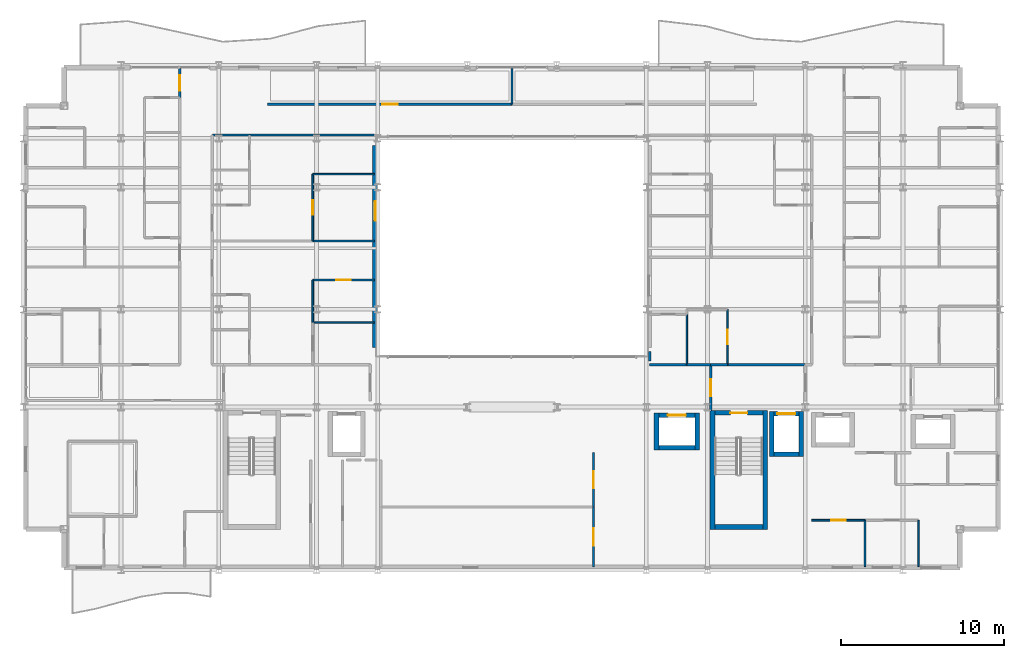
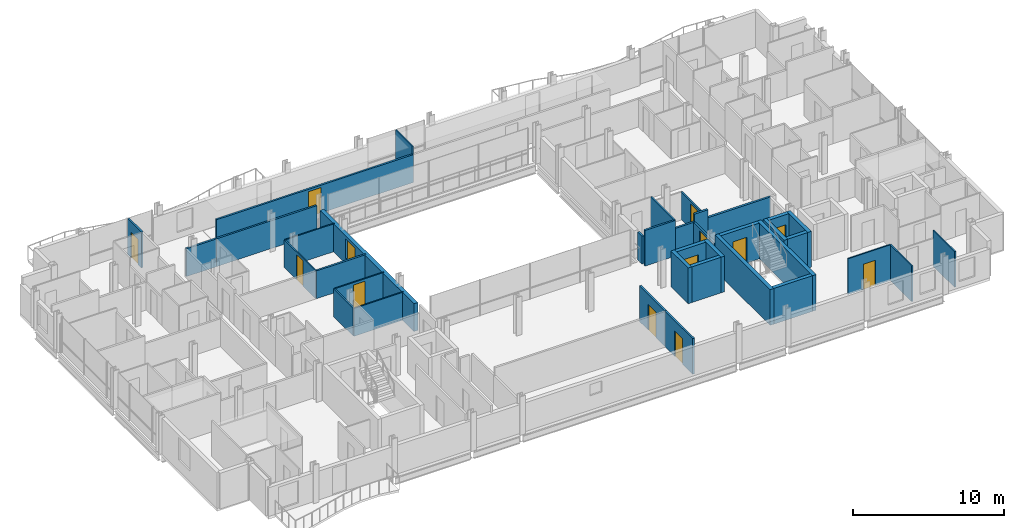
# One storey, part 34 of 41: 37 walls, 12 doors, 1 window, 13 openings.
"""IFC4 building model written with IfcOpenShell, lengths in metres."""

import ifcopenshell
import ifcopenshell.guid

model = None  # the IFC model being written
_history = None  # IfcOwnerHistory: only IFC2X3 demands one
_inside = {}  # id of a spatial element -> (the spatial element, [elements in it])
_under = {}  # id of a project, library or spatial element -> (it, [spatial elements below it])
_declared = {}  # id of a project -> (the project, [libraries it declares])
_typed = {}  # id of a type object -> (the type object, [elements of that type])
_made_of = {}  # id of a material, layer set ... -> (it, [elements and type objects made of it])


def new_model(schema):
    """Start an empty IFC model of exactly this schema.

    Asked for "IFC4X3", IfcOpenShell would pick the latest addendum, in which some entities
    have other attributes; the version numbers below select the first issue.
    IFC2X3 requires an IfcOwnerHistory on every rooted entity: one is made here for all.
    """
    global model, _history
    if schema == "IFC4X3":
        model = ifcopenshell.file(schema_version=(4, 3, 0, 0))
    else:
        model = ifcopenshell.file(schema=schema)
    _inside.clear()
    _under.clear()
    _declared.clear()
    _typed.clear()
    _made_of.clear()
    _history = None
    if model.schema == "IFC2X3":
        org = make("IfcOrganization", Name="unknown")
        user = make(
            "IfcPersonAndOrganization",
            ThePerson=make("IfcPerson", FamilyName="unknown"),
            TheOrganization=org,
        )
        app = make(
            "IfcApplication",
            ApplicationDeveloper=org,
            Version="unknown",
            ApplicationFullName="unknown",
            ApplicationIdentifier="unknown",
        )
        _history = make(
            "IfcOwnerHistory",
            OwningUser=user,
            OwningApplication=app,
            ChangeAction="ADDED",
            CreationDate=0,
        )
    return model


def make(cls, **values):
    """One entity of the class cls with the attributes given. An attribute that is None is left unset."""
    return model.create_entity(
        cls, **{name: value for name, value in values.items() if value is not None}
    )


def rooted(cls, **values):
    """An entity with a GlobalId (a new one), such as an element, a storey or a relation."""
    return make(cls, GlobalId=ifcopenshell.guid.new(), OwnerHistory=_history, **values)


def si_unit(unit_type, name, prefix=None):
    """IfcSIUnit, for example si_unit("LENGTHUNIT", "METRE", prefix="MILLI")."""
    return make("IfcSIUnit", UnitType=unit_type, Prefix=prefix, Name=name)


def assignment(units):
    """IfcUnitAssignment: the units of a project."""
    return None if units is None else make("IfcUnitAssignment", Units=units)


def point(xyz):
    """IfcCartesianPoint."""
    return None if xyz is None else make("IfcCartesianPoint", Coordinates=xyz)


def direction(xyz):
    """IfcDirection."""
    return None if xyz is None else make("IfcDirection", DirectionRatios=xyz)


def frame(location, z_axis=None, x_axis=None):
    """IfcAxis2Placement3D, a coordinate frame: its origin and axes. An axis left out is left unset."""
    return make(
        "IfcAxis2Placement3D",
        Location=point(location),
        Axis=direction(z_axis),
        RefDirection=direction(x_axis),
    )


def frame_2d(location, x_axis=None):
    """IfcAxis2Placement2D, a coordinate frame in the plane: its origin and x axis."""
    return make(
        "IfcAxis2Placement2D", Location=point(location), RefDirection=direction(x_axis)
    )


def origin():
    """The frame at (0, 0, 0) with its axes left unset."""
    return frame((0.0, 0.0, 0.0))


def place(relative_to, where):
    """IfcLocalPlacement: puts the frame where relative to a parent placement (None: the world)."""
    return make(
        "IfcLocalPlacement", PlacementRelTo=relative_to, RelativePlacement=where
    )


def context(
    kind, dimensions, precision=None, world=None, true_north=None, identifier=None
):
    """IfcGeometricRepresentationContext, for example the 3D "Model" context."""
    return make(
        "IfcGeometricRepresentationContext",
        ContextIdentifier=identifier,
        ContextType=kind,
        CoordinateSpaceDimension=dimensions,
        Precision=precision,
        WorldCoordinateSystem=world,
        TrueNorth=true_north,
    )


def subcontext(parent, identifier, kind, view, scale=None):
    """IfcGeometricRepresentationSubContext, for example "Body" below "Model"."""
    return make(
        "IfcGeometricRepresentationSubContext",
        ContextIdentifier=identifier,
        ContextType=kind,
        ParentContext=parent,
        TargetScale=scale,
        TargetView=view,
    )


def project(units=None, contexts=None):
    """IfcProject with its units and contexts."""
    return rooted(
        "IfcProject",
        Name="project",
        RepresentationContexts=contexts,
        UnitsInContext=assignment(units),
    )


def spatial(cls, under=None, at=None, **own):
    """A site, building, storey or space (cls), placed at a placement, below another one or the project."""
    s = rooted(cls, ObjectPlacement=at, **own)
    if under is not None:
        _under.setdefault(under.id(), (under, []))[1].append(s)
    return s


def profile(cls, at=None, kind="AREA", **sizes):
    """A parametric profile (cls). Its sizes go by their IFC names, for example OverallWidth=200.0."""
    return make(cls, ProfileType=kind, Position=at, **sizes)


def rectangle(**sizes):
    """IfcRectangleProfileDef."""
    return profile("IfcRectangleProfileDef", **sizes)


def extrude(swept, where, along, depth):
    """IfcExtrudedAreaSolid: the profile swept, set in the frame where, extruded along a direction by depth."""
    return make(
        "IfcExtrudedAreaSolid",
        SweptArea=swept,
        Position=where,
        ExtrudedDirection=direction(along),
        Depth=depth,
    )


def shape(context_of_items, identifier, shape_type, items):
    """IfcShapeRepresentation: the items that make up one representation, for example the "Body"."""
    return make(
        "IfcShapeRepresentation",
        ContextOfItems=context_of_items,
        RepresentationIdentifier=identifier,
        RepresentationType=shape_type,
        Items=items,
    )


def material(Name=None, Category=None):
    """IfcMaterial."""
    return make("IfcMaterial", Name=Name, Category=Category)


def layer(
    of_material, thickness, ventilated=None, Name=None, Category=None, Priority=None
):
    """IfcMaterialLayer: one layer of a wall or slab, of a material (None: an air gap)."""
    return make(
        "IfcMaterialLayer",
        Material=of_material,
        LayerThickness=thickness,
        IsVentilated=ventilated,
        Name=Name,
        Category=Category,
        Priority=Priority,
    )


def layer_set(layers, Name=None):
    """IfcMaterialLayerSet."""
    return make("IfcMaterialLayerSet", MaterialLayers=layers, LayerSetName=Name)


def made_of(thing, what):
    """Note that an element or type object is made of a material, layer set ...; save() writes the relation."""
    if what is not None:
        _made_of.setdefault(what.id(), (what, []))[1].append(thing)
    return thing


def type_object(cls, material=None, **own):
    """A type object (cls), such as IfcWallType, which elements share."""
    return made_of(rooted(cls, **own), material)


def element(
    cls,
    number,
    at=None,
    inside=None,
    cuts=None,
    type_object=None,
    material=None,
    context=None,
    identifier="Body",
    shape_type=None,
    held_by="IfcProductDefinitionShape",
    body=None,
    shapes=None,
    **own,
):
    """One element of the class cls, such as IfcWall. Its Tag is "e" and its number.

    at: its placement. inside: the storey or other place that contains it. cuts: it is an
    opening in that element (IfcRelVoidsElement). A single representation is given by context,
    identifier, shape_type and body (its items); several are given by shapes. held_by: the class
    of the entity that holds the representations. save() writes the other relations.
    """
    e = rooted(cls, Tag="e%d" % number, ObjectPlacement=at, **own)
    if body is not None:
        shapes = [shape(context, identifier, shape_type, body)]
    if shapes is not None:
        e.Representation = make(held_by, Representations=shapes)
    if inside is not None:
        _inside.setdefault(inside.id(), (inside, []))[1].append(e)
    if cuts is not None:
        rooted(
            "IfcRelVoidsElement", RelatingBuildingElement=cuts, RelatedOpeningElement=e
        )
    if type_object is not None:
        _typed.setdefault(type_object.id(), (type_object, []))[1].append(e)
    return made_of(e, material)


def fill(opening, filler):
    """IfcRelFillsElement: the door or window that sits in an opening."""
    return rooted(
        "IfcRelFillsElement",
        RelatingOpeningElement=opening,
        RelatedBuildingElement=filler,
    )


def aggregate(whole, parts):
    """IfcRelAggregates: a whole, such as a stair, and the parts it consists of."""
    return rooted("IfcRelAggregates", RelatingObject=whole, RelatedObjects=parts)


def save(model, path):
    """Write the relations noted so far, then the file.

    IfcRelAggregates (storeys below a building ...), IfcRelContainedInSpatialStructure (elements
    in a storey), IfcRelDefinesByType, IfcRelAssociatesMaterial and IfcRelDeclares: one each for
    every whole, place, type object, material and project.
    """
    for whole, parts in _under.values():
        aggregate(whole, parts)
    for where, things in _inside.values():
        rooted(
            "IfcRelContainedInSpatialStructure",
            RelatedElements=things,
            RelatingStructure=where,
        )
    for kind, things in _typed.values():
        rooted("IfcRelDefinesByType", RelatedObjects=things, RelatingType=kind)
    for what, things in _made_of.values():
        rooted("IfcRelAssociatesMaterial", RelatedObjects=things, RelatingMaterial=what)
    for by, libraries in _declared.values():
        rooted("IfcRelDeclares", RelatingContext=by, RelatedDefinitions=libraries)
    model.write(path)


model = new_model("IFC4")

# Units and contexts
model_context = context("Model", 3, precision=1e-05, world=origin(), true_north=direction((0.0, 1.0)))
body_context = subcontext(model_context, "Body", "Model", "MODEL_VIEW")
ifc_project = project(units=[si_unit("LENGTHUNIT", "METRE"), si_unit("AREAUNIT", "SQUARE_METRE"), si_unit("VOLUMEUNIT", "CUBIC_METRE"), si_unit("PLANEANGLEUNIT", "RADIAN"), si_unit("MASSUNIT", "GRAM", prefix="KILO")], contexts=[model_context])

# Site, building, storey
site_placement = place(None, origin())
site = spatial("IfcSite", under=ifc_project, at=site_placement, CompositionType="ELEMENT")
building_placement = place(site_placement, origin())
building = spatial("IfcBuilding", under=site, at=building_placement, Name="Brevholm Reach", CompositionType="ELEMENT")
storey_placement = place(building_placement, frame((0.0, 0.0, 100.39990234375)))
storey = spatial("IfcBuildingStorey", under=building, at=storey_placement, Name="L29", CompositionType="ELEMENT", Elevation=100.39990234375)

# Walls
ifc_material_1 = material(Name="Concrete C50/60", Category="concrete")
ifc_layer_1 = layer(ifc_material_1, 0.280029296875)
ifc_layer_set_1 = layer_set([ifc_layer_1], Name="Concrete C50/60")
wall_type_1 = type_object("IfcWallType", Name="WAL-COR-280", PredefinedType="SHEAR", material=ifc_layer_set_1)
for number, where, z_axis, x_axis, name in (
    (1, (42.31005859375, 2.5, 0.0), (0.0, 0.0, 1.0), (0.0, 1.0, 0.0), "L29 Escape Stair ST-2 Core Wall W"),
    (2, (45.5400390625, 2.5, 0.0), (0.0, 0.0, 1.0), (0.0, 1.0, 0.0), "L29 Escape Stair ST-2 Core Wall E"),
):
    element("IfcWall", number, at=place(storey_placement, frame(where, z_axis=z_axis, x_axis=x_axis)), inside=storey, type_object=wall_type_1, Name=name, PredefinedType="SHEAR", context=body_context, shape_type="SweptSolid", body=[
        extrude(rectangle(XDim=7.280029296875, YDim=0.280029296875, at=frame_2d((3.64013671875, 0.0))), origin(), (0.0, 0.0, 1.0), 2.880126953125),
    ])
wall_1_placement = place(storey_placement, frame((42.449951171875, 2.639892578125, 0.0), z_axis=(0.0, 0.0, 1.0), x_axis=(1.0, 0.0, 0.0)))
element("IfcWall", 3, at=wall_1_placement, inside=storey, type_object=wall_type_1, Name="L29 Escape Stair ST-2 Core Wall S", PredefinedType="SHEAR", context=body_context, shape_type="SweptSolid", body=[
    extrude(rectangle(XDim=2.949951171875, YDim=0.280029296875, at=frame_2d((1.47509765625, 0.0))), origin(), (0.0, 0.0, 1.0), 2.880126953125),
])

# Wall, opening, door
wall_2_placement = place(storey_placement, frame((45.39990234375, 9.639892578125, 0.0), z_axis=(0.0, 0.0, 1.0), x_axis=(-1.0, 0.0, 0.0)))
wall_2 = element("IfcWall", 4, at=wall_2_placement, inside=storey, type_object=wall_type_1, Name="L29 Escape Stair ST-2 Core Wall N", PredefinedType="SHEAR", context=body_context, shape_type="SweptSolid", body=[
    extrude(rectangle(XDim=2.949951171875, YDim=0.280029296875, at=frame_2d((1.47509765625, 0.0))), origin(), (0.0, 0.0, 1.0), 2.880126953125),
])
opening_1_placement = place(wall_2_placement, frame((0.949951171875, 0.0, 0.0)))
opening_1 = element("IfcOpeningElement", 5, at=opening_1_placement, cuts=wall_2, Name="Opening SD-ST-2", PredefinedType="OPENING", context=body_context, shape_type="SweptSolid", body=[
    extrude(rectangle(XDim=1.050048828125, YDim=2.06005859375, at=frame_2d((0.52490234375, 1.030029296875))), frame((0.0, 0.14990234375, 0.0), z_axis=(0.0, -1.0, 0.0), x_axis=(1.0, 0.0, 0.0)), (0.0, 0.0, 1.0), 0.300048828125),
])
ifc_material_2 = material(Name="Hardwood-Lipped Steel-Core Fire and Smoke Door", Category="steel")
door_type_1 = type_object("IfcDoorType", Name="DOR-INT-FD60S", OperationType="NOTDEFINED", PredefinedType="DOOR", material=ifc_material_2)
door_1_placement = place(opening_1_placement, origin())
door_1 = element("IfcDoor", 6, at=door_1_placement, inside=storey, type_object=door_type_1, Name="L29 Protected Stair ST-2 Lobby Door", OperationType="SINGLE_SWING_RIGHT", OverallHeight=2.06005859375, OverallWidth=1.050048828125, PredefinedType="DOOR", context=body_context, shape_type="SweptSolid", body=[
    extrude(rectangle(XDim=1.050048828125, YDim=2.06005859375, at=frame_2d((0.52490234375, 1.030029296875))), frame((0.0, 0.02490234375, 0.0), z_axis=(0.0, -1.0, 0.0), x_axis=(1.0, 0.0, 0.0)), (0.0, 0.0, 1.0), 0.050048828125),
])
fill(opening_1, door_1)

# Walls
for number, where, z_axis, x_axis, name in (
    (7, (45.949951171875, 6.9599609375, 0.0), (0.0, 0.0, 1.0), (0.0, 1.0, 0.0), "L29 Lift FFL-2 Shaft Wall W"),
    (8, (47.75, 6.9599609375, 0.0), (0.0, 0.0, 1.0), (0.0, 1.0, 0.0), "L29 Lift FFL-2 Shaft Wall E"),
):
    element("IfcWall", number, at=place(storey_placement, frame(where, z_axis=z_axis, x_axis=x_axis)), inside=storey, type_object=wall_type_1, Name=name, PredefinedType="SHEAR", context=body_context, shape_type="SweptSolid", body=[
        extrude(rectangle(XDim=2.780029296875, YDim=0.280029296875, at=frame_2d((1.39013671875, 0.0))), origin(), (0.0, 0.0, 1.0), 2.880126953125),
    ])
wall_3_placement = place(storey_placement, frame((46.090087890625, 7.10009765625, 0.0), z_axis=(0.0, 0.0, 1.0), x_axis=(1.0, 0.0, 0.0)))
element("IfcWall", 9, at=wall_3_placement, inside=storey, type_object=wall_type_1, Name="L29 Lift FFL-2 Shaft Wall S", PredefinedType="SHEAR", context=body_context, shape_type="SweptSolid", body=[
    extrude(rectangle(XDim=1.52001953125, YDim=0.280029296875, at=frame_2d((0.760009765625, 0.0))), origin(), (0.0, 0.0, 1.0), 2.880126953125),
])

# Wall, opening, door
wall_4_placement = place(storey_placement, frame((46.090087890625, 9.60009765625, 0.0), z_axis=(0.0, 0.0, 1.0), x_axis=(1.0, 0.0, 0.0)))
wall_4 = element("IfcWall", 10, at=wall_4_placement, inside=storey, type_object=wall_type_1, Name="L29 Lift FFL-2 Shaft Wall N", PredefinedType="SHEAR", context=body_context, shape_type="SweptSolid", body=[
    extrude(rectangle(XDim=1.52001953125, YDim=0.280029296875, at=frame_2d((0.760009765625, 0.0))), origin(), (0.0, 0.0, 1.0), 2.880126953125),
])
opening_2_placement = place(wall_4_placement, frame((0.2099609375, 0.0, 0.0)))
opening_2 = element("IfcOpeningElement", 11, at=opening_2_placement, cuts=wall_4, Name="Opening LD-FFL-2", PredefinedType="OPENING", context=body_context, shape_type="SweptSolid", body=[
    extrude(rectangle(XDim=1.10009765625, YDim=2.06005859375, at=frame_2d((0.550048828125, 1.030029296875))), frame((0.0, 0.14990234375, 0.0), z_axis=(0.0, -1.0, 0.0), x_axis=(1.0, 0.0, 0.0)), (0.0, 0.0, 1.0), 0.300048828125),
])
ifc_material_3 = material(Name="Brushed Stainless Steel Fire-Rated Sliding Lift Door", Category="steel")
door_type_2 = type_object("IfcDoorType", Name="DOR-LFT-1100", OperationType="NOTDEFINED", PredefinedType="DOOR", material=ifc_material_3)
door_2_placement = place(opening_2_placement, origin())
door_2 = element("IfcDoor", 12, at=door_2_placement, inside=storey, type_object=door_type_2, Name="L29 Lift FFL-2 Sliding Landing Door", OperationType="SLIDING_TO_RIGHT", OverallHeight=2.06005859375, OverallWidth=1.10009765625, PredefinedType="DOOR", context=body_context, shape_type="SweptSolid", body=[
    extrude(rectangle(XDim=1.10009765625, YDim=2.06005859375, at=frame_2d((0.550048828125, 1.030029296875))), frame((0.0, 0.02490234375, 0.0), z_axis=(0.0, -1.0, 0.0), x_axis=(1.0, 0.0, 0.0)), (0.0, 0.0, 1.0), 0.050048828125),
])
fill(opening_2, door_2)

# Walls
for number, where, z_axis, x_axis, name in (
    (13, (38.8701171875, 7.360107421875, 0.0), (0.0, 0.0, 1.0), (0.0, 1.0, 0.0), "L29 Lift PL-S1 Shaft Wall W"),
    (14, (41.3701171875, 7.360107421875, 0.0), (0.0, 0.0, 1.0), (0.0, 1.0, 0.0), "L29 Lift PL-S1 Shaft Wall E"),
):
    element("IfcWall", number, at=place(storey_placement, frame(where, z_axis=z_axis, x_axis=x_axis)), inside=storey, type_object=wall_type_1, Name=name, PredefinedType="SHEAR", context=body_context, shape_type="SweptSolid", body=[
        extrude(rectangle(XDim=2.27978515625, YDim=0.280029296875, at=frame_2d((1.139892578125, 0.0))), origin(), (0.0, 0.0, 1.0), 2.880126953125),
    ])
wall_5_placement = place(storey_placement, frame((39.010009765625, 7.5, 0.0), z_axis=(0.0, 0.0, 1.0), x_axis=(1.0, 0.0, 0.0)))
element("IfcWall", 15, at=wall_5_placement, inside=storey, type_object=wall_type_1, Name="L29 Lift PL-S1 Shaft Wall S", PredefinedType="SHEAR", context=body_context, shape_type="SweptSolid", body=[
    extrude(rectangle(XDim=2.219970703125, YDim=0.280029296875, at=frame_2d((1.10986328125, 0.0))), origin(), (0.0, 0.0, 1.0), 2.880126953125),
])

# Wall, opening, door
wall_6_placement = place(storey_placement, frame((39.010009765625, 9.5, 0.0), z_axis=(0.0, 0.0, 1.0), x_axis=(1.0, 0.0, 0.0)))
wall_6 = element("IfcWall", 16, at=wall_6_placement, inside=storey, type_object=wall_type_1, Name="L29 Lift PL-S1 Shaft Wall N", PredefinedType="SHEAR", context=body_context, shape_type="SweptSolid", body=[
    extrude(rectangle(XDim=2.219970703125, YDim=0.280029296875, at=frame_2d((1.10986328125, 0.0))), origin(), (0.0, 0.0, 1.0), 2.880126953125),
])
opening_3_placement = place(wall_6_placement, frame((0.56005859375, 0.0, 0.0)))
opening_3 = element("IfcOpeningElement", 17, at=opening_3_placement, cuts=wall_6, Name="Opening LD-PL-S1", PredefinedType="OPENING", context=body_context, shape_type="SweptSolid", body=[
    extrude(rectangle(XDim=1.10009765625, YDim=2.06005859375, at=frame_2d((0.550048828125, 1.030029296875))), frame((0.0, 0.14990234375, 0.0), z_axis=(0.0, -1.0, 0.0), x_axis=(1.0, 0.0, 0.0)), (0.0, 0.0, 1.0), 0.300048828125),
])
door_3_placement = place(opening_3_placement, origin())
door_3 = element("IfcDoor", 18, at=door_3_placement, inside=storey, type_object=door_type_2, Name="L29 Lift PL-S1 Sliding Landing Door", OperationType="SLIDING_TO_LEFT", OverallHeight=2.06005859375, OverallWidth=1.10009765625, PredefinedType="DOOR", context=body_context, shape_type="SweptSolid", body=[
    extrude(rectangle(XDim=1.10009765625, YDim=2.06005859375, at=frame_2d((0.550048828125, 1.030029296875))), frame((0.0, 0.02490234375, 0.0), z_axis=(0.0, -1.0, 0.0), x_axis=(1.0, 0.0, 0.0)), (0.0, 0.0, 1.0), 0.050048828125),
])
fill(opening_3, door_3)

# Wall, opening, window
ifc_material_4 = material(Name="Concrete C40/50", Category="concrete")
ifc_layer_2 = layer(ifc_material_4, 0.300048828125)
ifc_layer_set_2 = layer_set([ifc_layer_2], Name="Concrete C40/50")
wall_type_2 = type_object("IfcWallType", Name="WAL-EXT-300", PredefinedType="STANDARD", material=ifc_layer_set_2)
wall_7_placement = place(storey_placement, frame((21.60009765625, 26.050048828125, 0.0), z_axis=(0.0, 0.0, 1.0), x_axis=(0.0, -1.0, 0.0)))
wall_7 = element("IfcWall", 19, at=wall_7_placement, inside=storey, type_object=wall_type_2, Name="L29 Facade Wall WAL-L29-AT-W", PredefinedType="STANDARD", context=body_context, shape_type="SweptSolid", body=[
    extrude(rectangle(XDim=12.400146484375, YDim=0.300048828125, at=frame_2d((6.2001953125, 0.0))), origin(), (0.0, 0.0, 1.0), 2.242919921875),
])
opening_4_placement = place(wall_7_placement, frame((3.39990234375, 0.0, 0.423095703125)))
opening_4 = element("IfcOpeningElement", 20, at=opening_4_placement, cuts=wall_7, Name="Opening WN-08", PredefinedType="OPENING", context=body_context, shape_type="SweptSolid", body=[
    extrude(rectangle(XDim=1.199951171875, YDim=1.60009765625, at=frame_2d((0.60009765625, 0.800048828125))), frame((0.0, 0.159912109375, 0.0), z_axis=(0.0, -1.0, 0.0), x_axis=(1.0, 0.0, 0.0)), (0.0, 0.0, 1.0), 0.320068359375),
])
ifc_material_5 = material(Name="Dark Anodised Aluminium and Solar-Control IGU Glass", Category="aluminium")
window_type = type_object("IfcWindowType", Name="WIN-RES-1200", PartitioningType="SINGLE_PANEL", PredefinedType="WINDOW", material=ifc_material_5)
window_placement = place(opening_4_placement, origin())
window = element("IfcWindow", 21, at=window_placement, inside=storey, type_object=window_type, Name="L29 Window WIN-L29-AT-W1", OverallHeight=1.60009765625, OverallWidth=1.199951171875, PartitioningType="SINGLE_PANEL", PredefinedType="WINDOW", context=body_context, shape_type="SweptSolid", body=[
    extrude(rectangle(XDim=1.199951171875, YDim=1.60009765625, at=frame_2d((0.60009765625, 0.800048828125))), frame((0.0, 0.030029296875, 0.0), z_axis=(0.0, -1.0, 0.0), x_axis=(1.0, 0.0, 0.0)), (0.0, 0.0, 1.0), 0.06005859375),
])
fill(opening_4, window)

# Wall
ifc_material_6 = material(Name="Moisture-Resistant Acoustic Gypsum Stud Partition 100 mm", Category="gypsum")
ifc_layer_3 = layer(ifc_material_6, 0.10009765625)
ifc_layer_set_3 = layer_set([ifc_layer_3], Name="Moisture-Resistant Acoustic Gypsum Stud Partition 100 mm")
wall_type_3 = type_object("IfcWallType", Name="WAL-PRT-100", PredefinedType="PARTITIONING", material=ifc_layer_set_3)
wall_8_placement = place(storey_placement, frame((51.675048828125, 0.199951171875, 0.0), z_axis=(0.0, 0.0, 1.0), x_axis=(0.0, 1.0, 0.0)))
element("IfcWall", 22, at=wall_8_placement, inside=storey, type_object=wall_type_3, Name="L29 Internal Partition 083", PredefinedType="PARTITIONING", context=body_context, shape_type="SweptSolid", body=[
    extrude(rectangle(XDim=2.85009765625, YDim=0.10009765625, at=frame_2d((1.425048828125, 0.0))), origin(), (0.0, 0.0, 1.0), 2.880126953125),
])

# Wall, opening, door
wall_9_placement = place(storey_placement, frame((48.39990234375, 3.050048828125, 0.0), z_axis=(0.0, 0.0, 1.0), x_axis=(1.0, 0.0, 0.0)))
wall_9 = element("IfcWall", 23, at=wall_9_placement, inside=storey, type_object=wall_type_3, Name="L29 Internal Partition 084", PredefinedType="PARTITIONING", context=body_context, shape_type="SweptSolid", body=[
    extrude(rectangle(XDim=3.275146484375, YDim=0.10009765625, at=frame_2d((1.6376953125, 0.0))), origin(), (0.0, 0.0, 1.0), 2.880126953125),
])
opening_5_placement = place(wall_9_placement, frame((1.197509765625, 0.0, 0.0)))
opening_5 = element("IfcOpeningElement", 24, at=opening_5_placement, cuts=wall_9, Name="Opening ID-01", PredefinedType="OPENING", context=body_context, shape_type="SweptSolid", body=[
    extrude(rectangle(XDim=0.8798828125, YDim=2.0400390625, at=frame_2d((0.43994140625, 1.02001953125))), frame((0.0, 0.06005859375, 0.0), z_axis=(0.0, -1.0, 0.0), x_axis=(1.0, 0.0, 0.0)), (0.0, 0.0, 1.0), 0.1201171875),
])
ifc_material_7 = material(Name="Lacquered Ash Solid-Core Acoustic Internal Door", Category="timber")
door_type_3 = type_object("IfcDoorType", Name="DOR-INT-880", OperationType="NOTDEFINED", PredefinedType="DOOR", material=ifc_material_7)
door_4_placement = place(opening_5_placement, origin())
door_4 = element("IfcDoor", 25, at=door_4_placement, inside=storey, type_object=door_type_3, Name="L29 Internal Door 030", OperationType="SINGLE_SWING_LEFT", OverallHeight=2.0400390625, OverallWidth=0.8798828125, PredefinedType="DOOR", context=body_context, shape_type="SweptSolid", body=[
    extrude(rectangle(XDim=0.8798828125, YDim=2.0400390625, at=frame_2d((0.43994140625, 1.02001953125))), frame((0.0, 0.02490234375, 0.0), z_axis=(0.0, -1.0, 0.0), x_axis=(1.0, 0.0, 0.0)), (0.0, 0.0, 1.0), 0.050048828125),
])
fill(opening_5, door_4)

# Walls
wall_10_placement = place(storey_placement, frame((54.949951171875, 0.199951171875, 0.0), z_axis=(0.0, 0.0, 1.0), x_axis=(0.0, 1.0, 0.0)))
element("IfcWall", 26, at=wall_10_placement, inside=storey, type_object=wall_type_3, Name="L29 Internal Partition 085", PredefinedType="PARTITIONING", context=body_context, shape_type="SweptSolid", body=[
    extrude(rectangle(XDim=2.85009765625, YDim=0.10009765625, at=frame_2d((1.425048828125, 0.0))), origin(), (0.0, 0.0, 1.0), 2.880126953125),
])
wall_11_placement = place(storey_placement, frame((17.76904296875, 15.199951171875, 0.0), z_axis=(0.0, 0.0, 1.0), x_axis=(1.0, 0.0, 0.0)))
element("IfcWall", 27, at=wall_11_placement, inside=storey, type_object=wall_type_3, Name="L29 Internal Partition 113", PredefinedType="PARTITIONING", context=body_context, shape_type="SweptSolid", body=[
    extrude(rectangle(XDim=3.781005859375, YDim=0.10009765625, at=frame_2d((1.890625, 0.0))), origin(), (0.0, 0.0, 1.0), 2.242919921875),
])

# Wall, opening, door
wall_12_placement = place(storey_placement, frame((17.76904296875, 17.800048828125, 0.0), z_axis=(0.0, 0.0, 1.0), x_axis=(1.0, 0.0, 0.0)))
wall_12 = element("IfcWall", 28, at=wall_12_placement, inside=storey, type_object=wall_type_3, Name="L29 Internal Partition 115", PredefinedType="PARTITIONING", context=body_context, shape_type="SweptSolid", body=[
    extrude(rectangle(XDim=3.781005859375, YDim=0.10009765625, at=frame_2d((1.890625, 0.0))), origin(), (0.0, 0.0, 1.0), 2.242919921875),
])
opening_6_placement = place(wall_12_placement, frame((1.450439453125, 0.0, 0.0)))
opening_6 = element("IfcOpeningElement", 29, at=opening_6_placement, cuts=wall_12, Name="Opening ID-01", PredefinedType="OPENING", context=body_context, shape_type="SweptSolid", body=[
    extrude(rectangle(XDim=0.8798828125, YDim=2.0400390625, at=frame_2d((0.43994140625, 1.02001953125))), frame((0.0, 0.06005859375, 0.0), z_axis=(0.0, -1.0, 0.0), x_axis=(1.0, 0.0, 0.0)), (0.0, 0.0, 1.0), 0.1201171875),
])
door_5_placement = place(opening_6_placement, origin())
door_5 = element("IfcDoor", 30, at=door_5_placement, inside=storey, type_object=door_type_3, Name="L29 Internal Door 043", OperationType="SINGLE_SWING_RIGHT", OverallHeight=2.0400390625, OverallWidth=0.8798828125, PredefinedType="DOOR", context=body_context, shape_type="SweptSolid", body=[
    extrude(rectangle(XDim=0.8798828125, YDim=2.0400390625, at=frame_2d((0.43994140625, 1.02001953125))), frame((0.0, 0.02490234375, 0.0), z_axis=(0.0, -1.0, 0.0), x_axis=(1.0, 0.0, 0.0)), (0.0, 0.0, 1.0), 0.050048828125),
])
fill(opening_6, door_5)

# Walls
wall_13_placement = place(storey_placement, frame((17.76904296875, 15.2041015625, 0.0), z_axis=(0.0, 0.0, 1.0), x_axis=(0.0, 1.0, 0.0)))
element("IfcWall", 31, at=wall_13_placement, inside=storey, type_object=wall_type_3, Name="L29 Internal Partition 116", PredefinedType="PARTITIONING", context=body_context, shape_type="SweptSolid", body=[
    extrude(rectangle(XDim=2.595947265625, YDim=0.10009765625, at=frame_2d((1.2978515625, 0.0))), origin(), (0.0, 0.0, 1.0), 2.242919921875),
])
wall_14_placement = place(storey_placement, frame((17.76904296875, 24.300048828125, 0.0), z_axis=(0.0, 0.0, 1.0), x_axis=(1.0, 0.0, 0.0)))
element("IfcWall", 32, at=wall_14_placement, inside=storey, type_object=wall_type_3, Name="L29 Internal Partition 123", PredefinedType="PARTITIONING", context=body_context, shape_type="SweptSolid", body=[
    extrude(rectangle(XDim=3.781005859375, YDim=0.10009765625, at=frame_2d((1.890625, 0.0))), origin(), (0.0, 0.0, 1.0), 2.242919921875),
])

# Wall, opening, door
wall_15_placement = place(storey_placement, frame((17.76904296875, 20.2041015625, 0.0), z_axis=(0.0, 0.0, 1.0), x_axis=(0.0, 1.0, 0.0)))
wall_15 = element("IfcWall", 33, at=wall_15_placement, inside=storey, type_object=wall_type_3, Name="L29 Internal Partition 124", PredefinedType="PARTITIONING", context=body_context, shape_type="SweptSolid", body=[
    extrude(rectangle(XDim=4.095947265625, YDim=0.10009765625, at=frame_2d((2.0478515625, 0.0))), origin(), (0.0, 0.0, 1.0), 2.242919921875),
])
opening_7_placement = place(wall_15_placement, frame((1.60791015625, 0.0, 0.0)))
opening_7 = element("IfcOpeningElement", 34, at=opening_7_placement, cuts=wall_15, Name="Opening ID-01", PredefinedType="OPENING", context=body_context, shape_type="SweptSolid", body=[
    extrude(rectangle(XDim=0.8798828125, YDim=2.0400390625, at=frame_2d((0.43994140625, 1.02001953125))), frame((0.0, 0.06005859375, 0.0), z_axis=(0.0, -1.0, 0.0), x_axis=(1.0, 0.0, 0.0)), (0.0, 0.0, 1.0), 0.1201171875),
])
door_6_placement = place(opening_7_placement, origin())
door_6 = element("IfcDoor", 35, at=door_6_placement, inside=storey, type_object=door_type_3, Name="L29 Internal Door 046", OperationType="SINGLE_SWING_LEFT", OverallHeight=2.0400390625, OverallWidth=0.8798828125, PredefinedType="DOOR", context=body_context, shape_type="SweptSolid", body=[
    extrude(rectangle(XDim=0.8798828125, YDim=2.0400390625, at=frame_2d((0.43994140625, 1.02001953125))), frame((0.0, 0.02490234375, 0.0), z_axis=(0.0, -1.0, 0.0), x_axis=(1.0, 0.0, 0.0)), (0.0, 0.0, 1.0), 0.050048828125),
])
fill(opening_7, door_6)

# Wall
wall_16_placement = place(storey_placement, frame((40.738037109375, 12.60400390625, 0.0), z_axis=(0.0, 0.0, 1.0), x_axis=(0.0, 1.0, 0.0)))
element("IfcWall", 36, at=wall_16_placement, inside=storey, type_object=wall_type_3, Name="L29 Internal Partition 125", PredefinedType="PARTITIONING", context=body_context, shape_type="SweptSolid", body=[
    extrude(rectangle(XDim=3.095947265625, YDim=0.10009765625, at=frame_2d((1.5478515625, 0.0))), origin(), (0.0, 0.0, 1.0), 2.880126953125),
])

# Wall, opening, door
wall_17_placement = place(storey_placement, frame((43.22509765625, 12.60400390625, 0.0), z_axis=(0.0, 0.0, 1.0), x_axis=(0.0, 1.0, 0.0)))
wall_17 = element("IfcWall", 37, at=wall_17_placement, inside=storey, type_object=wall_type_3, Name="L29 Internal Partition 127", PredefinedType="PARTITIONING", context=body_context, shape_type="SweptSolid", body=[
    extrude(rectangle(XDim=3.39599609375, YDim=0.10009765625, at=frame_2d((1.697998046875, 0.0))), origin(), (0.0, 0.0, 1.0), 2.242919921875),
])
opening_8_placement = place(wall_17_placement, frame((1.258056640625, 0.0, 0.0)))
opening_8 = element("IfcOpeningElement", 38, at=opening_8_placement, cuts=wall_17, Name="Opening ID-01", PredefinedType="OPENING", context=body_context, shape_type="SweptSolid", body=[
    extrude(rectangle(XDim=0.8798828125, YDim=2.0400390625, at=frame_2d((0.43994140625, 1.02001953125))), frame((0.0, 0.06005859375, 0.0), z_axis=(0.0, -1.0, 0.0), x_axis=(1.0, 0.0, 0.0)), (0.0, 0.0, 1.0), 0.1201171875),
])
door_7_placement = place(opening_8_placement, origin())
door_7 = element("IfcDoor", 39, at=door_7_placement, inside=storey, type_object=door_type_3, Name="L29 Internal Door 048", OperationType="SINGLE_SWING_LEFT", OverallHeight=2.0400390625, OverallWidth=0.8798828125, PredefinedType="DOOR", context=body_context, shape_type="SweptSolid", body=[
    extrude(rectangle(XDim=0.8798828125, YDim=2.0400390625, at=frame_2d((0.43994140625, 1.02001953125))), frame((0.0, 0.02490234375, 0.0), z_axis=(0.0, -1.0, 0.0), x_axis=(1.0, 0.0, 0.0)), (0.0, 0.0, 1.0), 0.050048828125),
])
fill(opening_8, door_7)

# Wall
wall_18_placement = place(storey_placement, frame((30.0, 28.60400390625, 0.0), z_axis=(0.0, 0.0, 1.0), x_axis=(0.0, 1.0, 0.0)))
element("IfcWall", 40, at=wall_18_placement, inside=storey, type_object=wall_type_3, Name="L29 Internal Partition 164", PredefinedType="PARTITIONING", context=body_context, shape_type="SweptSolid", body=[
    extrude(rectangle(XDim=2.196044921875, YDim=0.10009765625, at=frame_2d((1.09814453125, 0.0))), origin(), (0.0, 0.0, 1.0), 2.880126953125),
])

# Wall, opening, door
ifc_material_8 = material(Name="Twin-Stud Acoustic Fire-Rated Gypsum Partition 140 mm", Category="gypsum")
ifc_layer_4 = layer(ifc_material_8, 0.139892578125)
ifc_layer_set_4 = layer_set([ifc_layer_4], Name="Twin-Stud Acoustic Fire-Rated Gypsum Partition 140 mm")
wall_type_4 = type_object("IfcWallType", Name="WAL-PRT-140", PredefinedType="PARTITIONING", material=ifc_layer_set_4)
wall_19_placement = place(storey_placement, frame((35.0, 0.179931640625, 0.0), z_axis=(0.0, 0.0, 1.0), x_axis=(0.0, 1.0, 0.0)))
wall_19 = element("IfcWall", 41, at=wall_19_placement, inside=storey, type_object=wall_type_4, Name="L29 Internal Partition 001", PredefinedType="PARTITIONING", context=body_context, shape_type="SweptSolid", body=[
    extrude(rectangle(XDim=3.69140625, YDim=0.139892578125, at=frame_2d((1.845703125, 0.0))), origin(), (0.0, 0.0, 1.0), 2.880126953125),
])
opening_9_placement = place(wall_19_placement, frame((1.32080078125, 0.0, 0.0)))
opening_9 = element("IfcOpeningElement", 42, at=opening_9_placement, cuts=wall_19, Name="Opening FD-01", PredefinedType="OPENING", context=body_context, shape_type="SweptSolid", body=[
    extrude(rectangle(XDim=1.050048828125, YDim=2.06005859375, at=frame_2d((0.52490234375, 1.030029296875))), frame((0.0, 0.079833984375, 0.0), z_axis=(0.0, -1.0, 0.0), x_axis=(1.0, 0.0, 0.0)), (0.0, 0.0, 1.0), 0.159912109375),
])
door_8_placement = place(opening_9_placement, origin())
door_8 = element("IfcDoor", 43, at=door_8_placement, inside=storey, type_object=door_type_1, Name="L29 Internal Door 001", OperationType="SINGLE_SWING_RIGHT", OverallHeight=2.06005859375, OverallWidth=1.050048828125, PredefinedType="DOOR", context=body_context, shape_type="SweptSolid", body=[
    extrude(rectangle(XDim=1.050048828125, YDim=2.06005859375, at=frame_2d((0.52490234375, 1.030029296875))), frame((0.0, 0.02490234375, 0.0), z_axis=(0.0, -1.0, 0.0), x_axis=(1.0, 0.0, 0.0)), (0.0, 0.0, 1.0), 0.050048828125),
])
fill(opening_9, door_8)

wall_20_placement = place(storey_placement, frame((35.0, 3.852783203125, 0.0), z_axis=(0.0, 0.0, 1.0), x_axis=(0.0, 1.0, 0.0)))
wall_20 = element("IfcWall", 44, at=wall_20_placement, inside=storey, type_object=wall_type_4, Name="L29 Internal Partition 002", PredefinedType="PARTITIONING", context=body_context, shape_type="SweptSolid", body=[
    extrude(rectangle(XDim=3.3583984375, YDim=0.139892578125, at=frame_2d((1.67919921875, 0.0))), origin(), (0.0, 0.0, 1.0), 2.880126953125),
])
opening_10_placement = place(wall_20_placement, frame((1.154296875, 0.0, 0.0)))
opening_10 = element("IfcOpeningElement", 45, at=opening_10_placement, cuts=wall_20, Name="Opening FD-01", PredefinedType="OPENING", context=body_context, shape_type="SweptSolid", body=[
    extrude(rectangle(XDim=1.050048828125, YDim=2.06005859375, at=frame_2d((0.52490234375, 1.030029296875))), frame((0.0, 0.079833984375, 0.0), z_axis=(0.0, -1.0, 0.0), x_axis=(1.0, 0.0, 0.0)), (0.0, 0.0, 1.0), 0.159912109375),
])
door_9_placement = place(opening_10_placement, origin())
door_9 = element("IfcDoor", 46, at=door_9_placement, inside=storey, type_object=door_type_1, Name="L29 Internal Door 002", OperationType="SINGLE_SWING_LEFT", OverallHeight=2.06005859375, OverallWidth=1.050048828125, PredefinedType="DOOR", context=body_context, shape_type="SweptSolid", body=[
    extrude(rectangle(XDim=1.050048828125, YDim=2.06005859375, at=frame_2d((0.52490234375, 1.030029296875))), frame((0.0, 0.02490234375, 0.0), z_axis=(0.0, -1.0, 0.0), x_axis=(1.0, 0.0, 0.0)), (0.0, 0.0, 1.0), 0.050048828125),
])
fill(opening_10, door_9)

# Walls
wall_21_placement = place(storey_placement, frame((38.438720703125, 12.60009765625, 0.0), z_axis=(0.0, 0.0, 1.0), x_axis=(1.0, 0.0, 0.0)))
element("IfcWall", 47, at=wall_21_placement, inside=storey, type_object=wall_type_4, Name="L29 Internal Partition 027", PredefinedType="PARTITIONING", context=body_context, shape_type="SweptSolid", body=[
    extrude(rectangle(XDim=2.310546875, YDim=0.139892578125, at=frame_2d((1.1552734375, 0.0))), origin(), (0.0, 0.0, 1.0), 2.880126953125),
])
wall_22_placement = place(storey_placement, frame((40.730712890625, 12.60009765625, 0.0), z_axis=(0.0, 0.0, 1.0), x_axis=(1.0, 0.0, 0.0)))
element("IfcWall", 48, at=wall_22_placement, inside=storey, type_object=wall_type_4, Name="L29 Internal Partition 028", PredefinedType="PARTITIONING", context=body_context, shape_type="SweptSolid", body=[
    extrude(rectangle(XDim=1.46533203125, YDim=0.139892578125, at=frame_2d((0.732666015625, 0.0))), origin(), (0.0, 0.0, 1.0), 2.242919921875),
])

# Wall, opening, door
wall_23_placement = place(storey_placement, frame((9.60009765625, 28.99267578125, 0.0), z_axis=(0.0, 0.0, 1.0), x_axis=(0.0, 1.0, 0.0)))
wall_23 = element("IfcWall", 49, at=wall_23_placement, inside=storey, type_object=wall_type_4, Name="L29 Internal Partition 037", PredefinedType="PARTITIONING", context=body_context, shape_type="SweptSolid", body=[
    extrude(rectangle(XDim=1.807373046875, YDim=0.139892578125, at=frame_2d((0.90380859375, 0.0))), origin(), (0.0, 0.0, 1.0), 2.880126953125),
])
opening_11_placement = place(wall_23_placement, frame((0.4287109375, 0.0, 0.0)))
opening_11 = element("IfcOpeningElement", 50, at=opening_11_placement, cuts=wall_23, Name="Opening ID-30", PredefinedType="OPENING", context=body_context, shape_type="SweptSolid", body=[
    extrude(rectangle(XDim=0.949951171875, YDim=2.050048828125, at=frame_2d((0.47509765625, 1.02490234375))), frame((0.0, 0.079833984375, 0.0), z_axis=(0.0, -1.0, 0.0), x_axis=(1.0, 0.0, 0.0)), (0.0, 0.0, 1.0), 0.159912109375),
])
ifc_material_9 = material(Name="European Oak Veneered Solid-Core Fire Entrance Door", Category="timber")
door_type_4 = type_object("IfcDoorType", Name="DOR-FLT-FD30S", OperationType="NOTDEFINED", PredefinedType="DOOR", material=ifc_material_9)
door_10_placement = place(opening_11_placement, origin())
door_10 = element("IfcDoor", 51, at=door_10_placement, inside=storey, type_object=door_type_4, Name="L29 Internal Door 016", OperationType="SINGLE_SWING_LEFT", OverallHeight=2.050048828125, OverallWidth=0.949951171875, PredefinedType="DOOR", context=body_context, shape_type="SweptSolid", body=[
    extrude(rectangle(XDim=0.949951171875, YDim=2.050048828125, at=frame_2d((0.47509765625, 1.02490234375))), frame((0.0, 0.02490234375, 0.0), z_axis=(0.0, -1.0, 0.0), x_axis=(1.0, 0.0, 0.0)), (0.0, 0.0, 1.0), 0.050048828125),
])
fill(opening_11, door_10)

# Walls
wall_24_placement = place(storey_placement, frame((11.60400390625, 26.699951171875, 0.0), z_axis=(0.0, 0.0, 1.0), x_axis=(1.0, 0.0, 0.0)))
element("IfcWall", 52, at=wall_24_placement, inside=storey, type_object=wall_type_4, Name="L29 Internal Partition 057", PredefinedType="PARTITIONING", context=body_context, shape_type="SweptSolid", body=[
    extrude(rectangle(XDim=2.29638671875, YDim=0.139892578125, at=frame_2d((1.148193359375, 0.0))), origin(), (0.0, 0.0, 1.0), 2.242919921875),
])
wall_25_placement = place(storey_placement, frame((13.881591796875, 26.699951171875, 0.0), z_axis=(0.0, 0.0, 1.0), x_axis=(1.0, 0.0, 0.0)))
element("IfcWall", 53, at=wall_25_placement, inside=storey, type_object=wall_type_4, Name="L29 Internal Partition 058", PredefinedType="PARTITIONING", context=body_context, shape_type="SweptSolid", body=[
    extrude(rectangle(XDim=7.6796875, YDim=0.139892578125, at=frame_2d((3.83984375, 0.0))), origin(), (0.0, 0.0, 1.0), 2.242919921875),
])

# Wall, opening, door
wall_26_placement = place(storey_placement, frame((14.98876953125, 28.60009765625, 0.0), z_axis=(0.0, 0.0, 1.0), x_axis=(1.0, 0.0, 0.0)))
wall_26 = element("IfcWall", 54, at=wall_26_placement, inside=storey, type_object=wall_type_4, Name="L29 Internal Partition 061", PredefinedType="PARTITIONING", context=body_context, shape_type="SweptSolid", body=[
    extrude(rectangle(XDim=15.0224609375, YDim=0.139892578125, at=frame_2d((7.51123046875, 0.0))), origin(), (0.0, 0.0, 1.0), 2.242919921875),
])
opening_12_placement = place(wall_26_placement, frame((7.036376953125, 0.0, 0.0)))
opening_12 = element("IfcOpeningElement", 55, at=opening_12_placement, cuts=wall_26, Name="Opening ID-30", PredefinedType="OPENING", context=body_context, shape_type="SweptSolid", body=[
    extrude(rectangle(XDim=0.949951171875, YDim=2.050048828125, at=frame_2d((0.47509765625, 1.02490234375))), frame((0.0, 0.079833984375, 0.0), z_axis=(0.0, -1.0, 0.0), x_axis=(1.0, 0.0, 0.0)), (0.0, 0.0, 1.0), 0.159912109375),
])
door_11_placement = place(opening_12_placement, origin())
door_11 = element("IfcDoor", 56, at=door_11_placement, inside=storey, type_object=door_type_4, Name="L29 Internal Door 023", OperationType="SINGLE_SWING_RIGHT", OverallHeight=2.050048828125, OverallWidth=0.949951171875, PredefinedType="DOOR", context=body_context, shape_type="SweptSolid", body=[
    extrude(rectangle(XDim=0.949951171875, YDim=2.050048828125, at=frame_2d((0.47509765625, 1.02490234375))), frame((0.0, 0.02490234375, 0.0), z_axis=(0.0, -1.0, 0.0), x_axis=(1.0, 0.0, 0.0)), (0.0, 0.0, 1.0), 0.050048828125),
])
fill(opening_12, door_11)

# Walls
wall_27_placement = place(storey_placement, frame((17.7578125, 20.199951171875, 0.0), z_axis=(0.0, 0.0, 1.0), x_axis=(1.0, 0.0, 0.0)))
element("IfcWall", 57, at=wall_27_placement, inside=storey, type_object=wall_type_4, Name="L29 Internal Partition 117", PredefinedType="PARTITIONING", context=body_context, shape_type="SweptSolid", body=[
    extrude(rectangle(XDim=3.792236328125, YDim=0.139892578125, at=frame_2d((1.89599609375, 0.0))), origin(), (0.0, 0.0, 1.0), 2.242919921875),
])
wall_28_placement = place(storey_placement, frame((38.449951171875, 12.840087890625, 0.0), z_axis=(0.0, 0.0, 1.0), x_axis=(0.0, 1.0, 0.0)))
element("IfcWall", 58, at=wall_28_placement, inside=storey, type_object=wall_type_4, Name="L29 Internal Partition 167", PredefinedType="PARTITIONING", context=body_context, shape_type="SweptSolid", body=[
    extrude(rectangle(XDim=0.5751953125, YDim=0.139892578125, at=frame_2d((0.28759765625, 0.0))), origin(), (0.0, 0.0, 1.0), 2.242919921875),
])

# Wall, opening, door
ifc_material_10 = material(Name="Twin-Frame Fire-Rated Gypsum Board and Mineral Wool 160 mm", Category="gypsum")
ifc_layer_5 = layer(ifc_material_10, 0.159912109375)
ifc_layer_set_5 = layer_set([ifc_layer_5], Name="Twin-Frame Fire-Rated Gypsum Board and Mineral Wool 160 mm")
wall_type_5 = type_object("IfcWallType", Name="WAL-PRT-160", PredefinedType="PARTITIONING", material=ifc_layer_set_5)
wall_29_placement = place(storey_placement, frame((42.199951171875, 9.7900390625, 0.0), z_axis=(0.0, 0.0, 1.0), x_axis=(0.0, 1.0, 0.0)))
wall_29 = element("IfcWall", 59, at=wall_29_placement, inside=storey, type_object=wall_type_5, Name="L29 Internal Partition 019", PredefinedType="PARTITIONING", context=body_context, shape_type="SweptSolid", body=[
    extrude(rectangle(XDim=2.81005859375, YDim=0.159912109375, at=frame_2d((1.405029296875, 0.0))), origin(), (0.0, 0.0, 1.0), 2.242919921875),
])
opening_13_placement = place(wall_29_placement, frame((0.8798828125, 0.0, 0.0)))
opening_13 = element("IfcOpeningElement", 60, at=opening_13_placement, cuts=wall_29, Name="Opening FD-01", PredefinedType="OPENING", context=body_context, shape_type="SweptSolid", body=[
    extrude(rectangle(XDim=1.050048828125, YDim=2.06005859375, at=frame_2d((0.52490234375, 1.030029296875))), frame((0.0, 0.08984375, 0.0), z_axis=(0.0, -1.0, 0.0), x_axis=(1.0, 0.0, 0.0)), (0.0, 0.0, 1.0), 0.179931640625),
])
door_12_placement = place(opening_13_placement, origin())
door_12 = element("IfcDoor", 61, at=door_12_placement, inside=storey, type_object=door_type_1, Name="L29 Internal Door 010", OperationType="SINGLE_SWING_LEFT", OverallHeight=2.06005859375, OverallWidth=1.050048828125, PredefinedType="DOOR", context=body_context, shape_type="SweptSolid", body=[
    extrude(rectangle(XDim=1.050048828125, YDim=2.06005859375, at=frame_2d((0.52490234375, 1.030029296875))), frame((0.0, 0.02490234375, 0.0), z_axis=(0.0, -1.0, 0.0), x_axis=(1.0, 0.0, 0.0)), (0.0, 0.0, 1.0), 0.050048828125),
])
fill(opening_13, door_12)

# Walls
wall_30_placement = place(storey_placement, frame((42.199951171875, 12.60009765625, 0.0), z_axis=(0.0, 0.0, 1.0), x_axis=(1.0, 0.0, 0.0)))
element("IfcWall", 62, at=wall_30_placement, inside=storey, type_object=wall_type_5, Name="L29 Internal Partition 021", PredefinedType="PARTITIONING", context=body_context, shape_type="SweptSolid", body=[
    extrude(rectangle(XDim=1.036376953125, YDim=0.159912109375, at=frame_2d((0.51806640625, 0.0))), origin(), (0.0, 0.0, 1.0), 2.880126953125),
])
wall_31_placement = place(storey_placement, frame((43.2177734375, 12.60009765625, 0.0), z_axis=(0.0, 0.0, 1.0), x_axis=(1.0, 0.0, 0.0)))
element("IfcWall", 63, at=wall_31_placement, inside=storey, type_object=wall_type_5, Name="L29 Internal Partition 022", PredefinedType="PARTITIONING", context=body_context, shape_type="SweptSolid", body=[
    extrude(rectangle(XDim=4.7822265625, YDim=0.159912109375, at=frame_2d((2.39111328125, 0.0))), origin(), (0.0, 0.0, 1.0), 2.242919921875),
])

save(model, "model.ifc")
